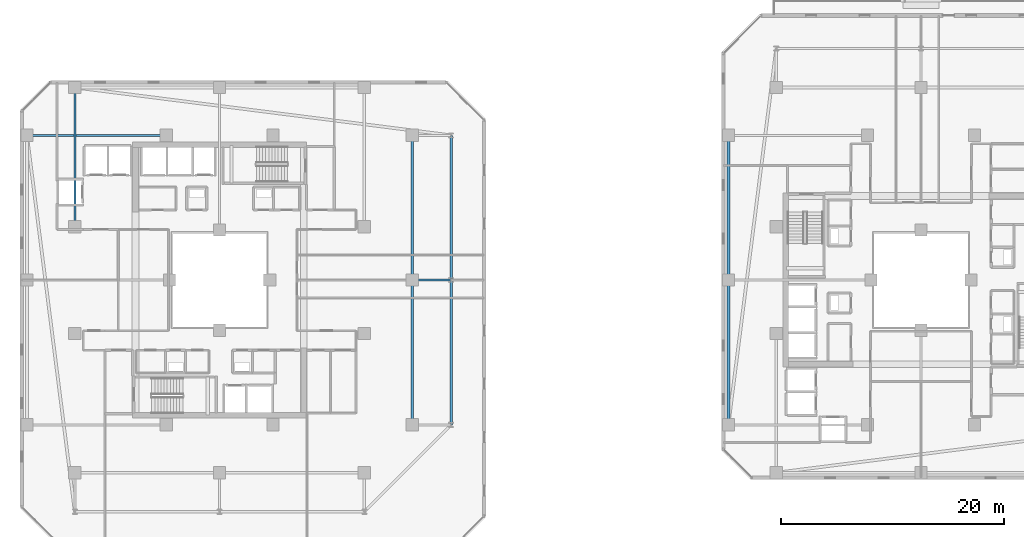
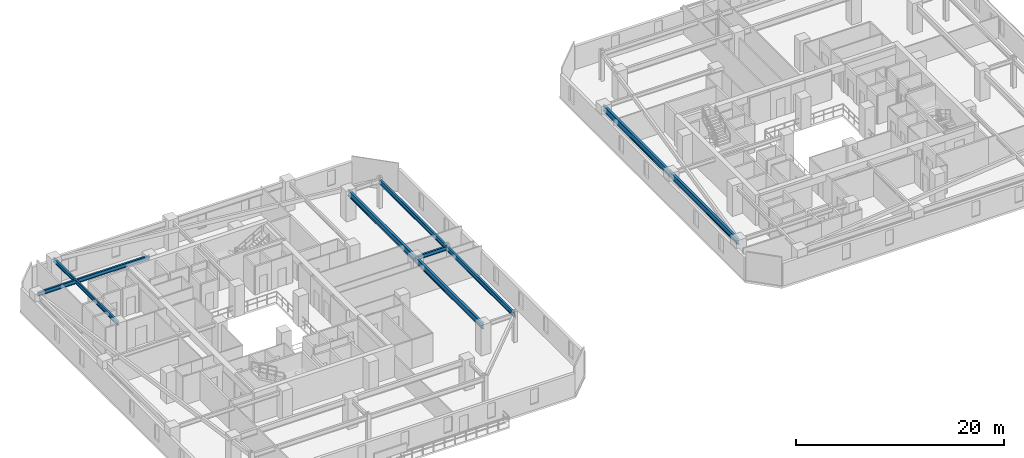
# One storey, part 7 of 33: 9 beams.
"""IFC4 building model written with IfcOpenShell, lengths in metres."""

from ifc_helpers import new_model, si_unit, direction, frame, origin, origin_2d, place, context, subcontext, project, spatial, i_section, extrude, material, material_profile, profile_set, type_object, element, save


model = new_model("IFC4")

# Units and contexts
model_context = context("Model", 3, precision=1e-05, world=origin(), true_north=direction((0.0, 1.0)))
body_context = subcontext(model_context, "Body", "Model", "MODEL_VIEW")
ifc_project = project(units=[si_unit("LENGTHUNIT", "METRE"), si_unit("AREAUNIT", "SQUARE_METRE"), si_unit("VOLUMEUNIT", "CUBIC_METRE"), si_unit("PLANEANGLEUNIT", "RADIAN"), si_unit("MASSUNIT", "GRAM", prefix="KILO")], contexts=[model_context])

# Site, building, storey
site_placement = place(None, origin())
site = spatial("IfcSite", under=ifc_project, at=site_placement, CompositionType="ELEMENT")
building_placement = place(site_placement, origin())
building = spatial("IfcBuilding", under=site, at=building_placement, Name="Thornwick Lancets Civic Towers", CompositionType="ELEMENT")
storey_placement = place(building_placement, frame((0.0, 0.0, 159.89990234375)))
storey = spatial("IfcBuildingStorey", under=building, at=storey_placement, Name="L42", CompositionType="ELEMENT", Elevation=159.89990234375)

# Beams
ifc_material = material(Name="Steel S355JR", Category="steel")
ifc_material_profile_1 = material_profile(ifc_material, i_section(OverallWidth=0.210693359375, OverallDepth=0.53955078125, WebThickness=0.01171875, FlangeThickness=0.018798828125, FilletRadius=0.0126953125, at=origin_2d()), Name="UKB 533x210x109")
ifc_profile_set_1 = profile_set([ifc_material_profile_1], Name="Steel S355JR")
beam_type_1 = type_object("IfcBeamType", Name="BM_EDGE_533_109", PredefinedType="SPANDREL", material=ifc_profile_set_1)
beam_1_placement = place(storey_placement, frame((46.300048828125, 14.0, 3.09033203125), z_axis=(0.0, 1.0, 0.0), x_axis=(-1.0, 0.0, 0.0)))
element("IfcBeam", 1, at=beam_1_placement, inside=storey, type_object=beam_type_1, Name="BM-EDGE-L42-A-S1-1", PredefinedType="SPANDREL", context=body_context, shape_type="SweptSolid", body=[
    extrude(i_section(OverallWidth=0.210693359375, OverallDepth=0.53955078125, WebThickness=0.01171875, FlangeThickness=0.018798828125, FilletRadius=0.0126953125, at=origin_2d()), origin(), (0.0, 0.0, 1.0), 13.0),
])
beam_2_placement = place(storey_placement, frame((46.300048828125, 27.080078125, 3.09033203125), z_axis=(0.0, 1.0, 0.0), x_axis=(-1.0, 0.0, 0.0)))
element("IfcBeam", 2, at=beam_2_placement, inside=storey, type_object=beam_type_1, Name="BM-EDGE-L42-A-S1-2", PredefinedType="SPANDREL", context=body_context, shape_type="SweptSolid", body=[
    extrude(i_section(OverallWidth=0.210693359375, OverallDepth=0.53955078125, WebThickness=0.01171875, FlangeThickness=0.018798828125, FilletRadius=0.0126953125, at=origin_2d()), origin(), (0.0, 0.0, 1.0), 12.919921875),
])
ifc_material_profile_2 = material_profile(ifc_material, i_section(OverallWidth=0.255859375, OverallDepth=0.69287109375, WebThickness=0.014404296875, FlangeThickness=0.023681640625, FilletRadius=0.01513671875, at=origin_2d()), Name="UKB 686x254x170")
ifc_profile_set_2 = profile_set([ifc_material_profile_2], Name="Steel S355JR")
beam_type_2 = type_object("IfcBeamType", Name="BM_GIRD_686_170", PredefinedType="BEAM", material=ifc_profile_set_2)
beam_3_placement = place(storey_placement, frame((42.800048828125, 14.0, 3.013671875), z_axis=(0.0, 1.0, 0.0), x_axis=(-1.0, 0.0, 0.0)))
element("IfcBeam", 3, at=beam_3_placement, inside=storey, type_object=beam_type_2, Name="BM-SPINE-L42-A-3-4", PredefinedType="BEAM", context=body_context, shape_type="SweptSolid", body=[
    extrude(i_section(OverallWidth=0.255859375, OverallDepth=0.69287109375, WebThickness=0.014404296875, FlangeThickness=0.023681640625, FilletRadius=0.01513671875, at=origin_2d()), origin(), (0.0, 0.0, 1.0), 13.0),
])
beam_4_placement = place(storey_placement, frame((42.800048828125, 27.080078125, 3.013671875), z_axis=(0.0, 1.0, 0.0), x_axis=(-1.0, 0.0, 0.0)))
element("IfcBeam", 4, at=beam_4_placement, inside=storey, type_object=beam_type_2, Name="BM-SPINE-L42-A-4-5", PredefinedType="BEAM", context=body_context, shape_type="SweptSolid", body=[
    extrude(i_section(OverallWidth=0.255859375, OverallDepth=0.69287109375, WebThickness=0.014404296875, FlangeThickness=0.023681640625, FilletRadius=0.01513671875, at=origin_2d()), origin(), (0.0, 0.0, 1.0), 12.919921875),
])
beam_5_placement = place(storey_placement, frame((71.199951171875, 14.0, 3.013671875), z_axis=(0.0, 1.0, 0.0), x_axis=(-1.0, 0.0, 0.0)))
element("IfcBeam", 5, at=beam_5_placement, inside=storey, type_object=beam_type_2, Name="BM-SPINE-L42-B-6-7", PredefinedType="BEAM", context=body_context, shape_type="SweptSolid", body=[
    extrude(i_section(OverallWidth=0.255859375, OverallDepth=0.69287109375, WebThickness=0.014404296875, FlangeThickness=0.023681640625, FilletRadius=0.01513671875, at=origin_2d()), origin(), (0.0, 0.0, 1.0), 13.0),
])
beam_6_placement = place(storey_placement, frame((71.199951171875, 27.080078125, 3.013671875), z_axis=(0.0, 1.0, 0.0), x_axis=(-1.0, 0.0, 0.0)))
element("IfcBeam", 6, at=beam_6_placement, inside=storey, type_object=beam_type_2, Name="BM-SPINE-L42-B-7-8", PredefinedType="BEAM", context=body_context, shape_type="SweptSolid", body=[
    extrude(i_section(OverallWidth=0.255859375, OverallDepth=0.69287109375, WebThickness=0.014404296875, FlangeThickness=0.023681640625, FilletRadius=0.01513671875, at=origin_2d()), origin(), (0.0, 0.0, 1.0), 12.919921875),
])
ifc_material_profile_3 = material_profile(ifc_material, i_section(OverallWidth=0.19287109375, OverallDepth=0.46728515625, WebThickness=0.011474609375, FlangeThickness=0.01953125, FilletRadius=0.01025390625, at=origin_2d()), Name="UKB 457x191x98")
ifc_profile_set_3 = profile_set([ifc_material_profile_3], Name="Steel S355JR")
beam_type_3 = type_object("IfcBeamType", Name="BM_JOIST_457_98", PredefinedType="JOIST", material=ifc_profile_set_3)
beam_7_placement = place(storey_placement, frame((42.800048828125, 27.0, 3.12646484375), z_axis=(1.0, 0.0, 0.0), x_axis=(0.0, 1.0, 0.0)))
element("IfcBeam", 7, at=beam_7_placement, inside=storey, type_object=beam_type_3, Name="BM-RAD-L42-A05", PredefinedType="JOIST", context=body_context, shape_type="SweptSolid", body=[
    extrude(i_section(OverallWidth=0.19287109375, OverallDepth=0.46728515625, WebThickness=0.011474609375, FlangeThickness=0.01953125, FilletRadius=0.01025390625, at=origin_2d()), origin(), (0.0, 0.0, 1.0), 3.5),
])
for number, where, z_axis, x_axis, name in (
    (8, (12.5, 31.800048828125, 3.12646484375), (0.0, 1.0, 0.0), (-1.0, 0.0, 0.0), "BM-RADIN-L42-A07"),
    (9, (20.699951171875, 40.0, 3.12646484375), (-1.0, 0.0, 0.0), (0.0, -1.0, 0.0), "BM-RADIN-L42-A12"),
):
    element("IfcBeam", number, at=place(storey_placement, frame(where, z_axis=z_axis, x_axis=x_axis)), inside=storey, type_object=beam_type_3, Name=name, PredefinedType="JOIST", context=body_context, shape_type="SweptSolid", body=[
        extrude(i_section(OverallWidth=0.19287109375, OverallDepth=0.46728515625, WebThickness=0.011474609375, FlangeThickness=0.01953125, FilletRadius=0.01025390625, at=origin_2d()), origin(), (0.0, 0.0, 1.0), 12.5),
    ])

save(model, "model.ifc")
